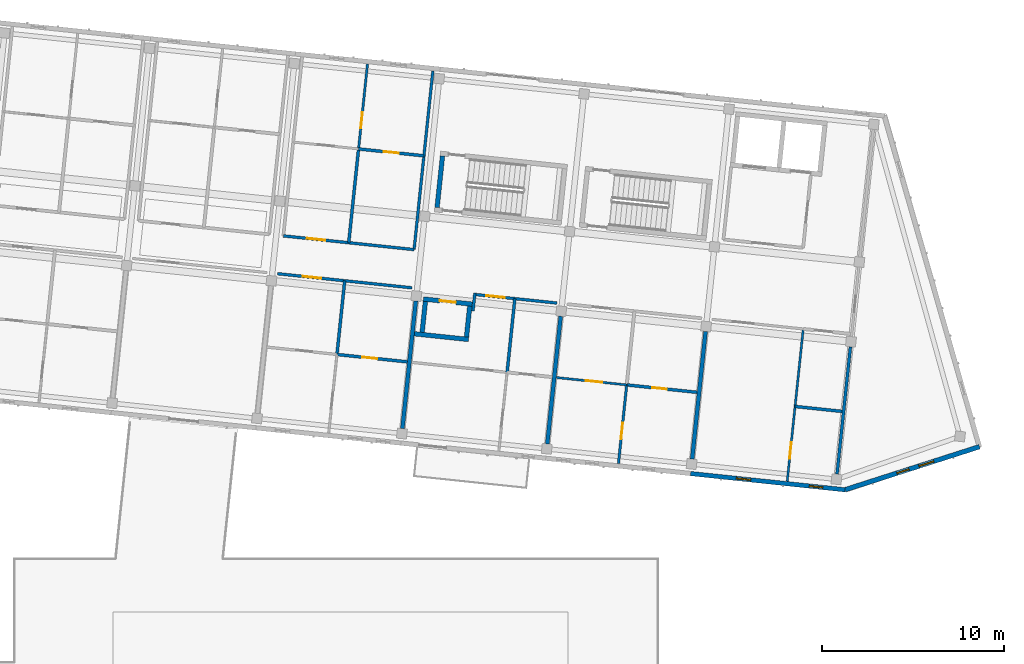
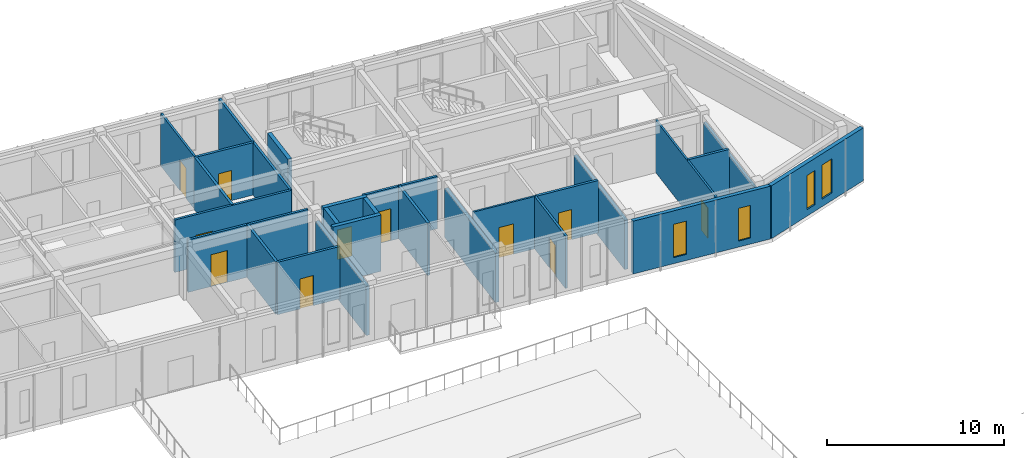
# One storey, part 103 of 150: 27 walls, 11 doors, 4 windows, 15 openings.
"""IFC4 building model written with IfcOpenShell, lengths in metres."""

from ifc_helpers import new_model, si_unit, direction, frame, frame_2d, origin, place, context, subcontext, project, spatial, rectangle, extrude, material, layer, layer_set, type_object, element, fill, save


model = new_model("IFC4")

# Units and contexts
model_context = context("Model", 3, precision=1e-05, world=origin(), true_north=direction((0.0, 1.0)))
body_context = subcontext(model_context, "Body", "Model", "MODEL_VIEW")
ifc_project = project(units=[si_unit("LENGTHUNIT", "METRE"), si_unit("AREAUNIT", "SQUARE_METRE"), si_unit("VOLUMEUNIT", "CUBIC_METRE"), si_unit("PLANEANGLEUNIT", "RADIAN"), si_unit("MASSUNIT", "GRAM", prefix="KILO")], contexts=[model_context])

# Site, building, storey
site_placement = place(None, origin())
site = spatial("IfcSite", under=ifc_project, at=site_placement, CompositionType="ELEMENT")
building_placement = place(site_placement, origin())
building = spatial("IfcBuilding", under=site, at=building_placement, Name="Kestramere Prow Commons", CompositionType="ELEMENT")
storey_placement = place(building_placement, frame((0.0, 0.0, 4.5)))
storey = spatial("IfcBuildingStorey", under=building, at=storey_placement, Name="L01", CompositionType="ELEMENT", Elevation=4.5)

# Wall, openings, windows
ifc_material_1 = material(Name="Weathered Zinc-Titanium Standing-Seam Cladding")
ifc_layer_1 = layer(ifc_material_1, 0.260009765625)
ifc_layer_set_1 = layer_set([ifc_layer_1], Name="Weathered Zinc-Titanium Standing-Seam Cladding")
wall_type_1 = type_object("IfcWallType", Name="EW-PROW-260", PredefinedType="SOLIDWALL", material=ifc_layer_set_1)
wall_1_placement = place(storey_placement, frame((165.587158203125, 91.57177734375, 0.0), z_axis=(0.0, 0.0, 1.0), x_axis=(-0.9522851043, -0.305209895201, 0.0)))
wall_1 = element("IfcWall", 1, at=wall_1_placement, inside=storey, type_object=wall_type_1, Name="Block B L01 PRW-S Facet Wall", PredefinedType="SOLIDWALL", context=body_context, shape_type="SweptSolid", body=[
    extrude(rectangle(XDim=7.752685546875, YDim=0.260009765625, at=frame_2d((3.87646484375, 0.0))), origin(), (0.0, 0.0, 1.0), 3.64990234375),
])
opening_1_placement = place(wall_1_placement, frame((2.6298828125, 0.0, 0.52001953125)))
opening_1 = element("IfcOpeningElement", 2, at=opening_1_placement, cuts=wall_1, Name="Opening WN-15", PredefinedType="OPENING", context=body_context, shape_type="SweptSolid", body=[
    extrude(rectangle(XDim=0.860107421875, YDim=2.360107421875, at=frame_2d((0.43017578125, 1.18017578125))), frame((0.0, 0.14501953125, 0.0), z_axis=(0.0, -1.0, 0.0), x_axis=(1.0, 0.0, 0.0)), (0.0, 0.0, 1.0), 0.2900390625),
])
opening_2_placement = place(wall_1_placement, frame((4.062744140625, 0.0, 0.449951171875)))
opening_2 = element("IfcOpeningElement", 3, at=opening_2_placement, cuts=wall_1, Name="Opening WN-07", PredefinedType="OPENING", context=body_context, shape_type="SweptSolid", body=[
    extrude(rectangle(XDim=0.699951171875, YDim=2.360107421875, at=frame_2d((0.35009765625, 1.18017578125))), frame((0.0, 0.14501953125, 0.0), z_axis=(0.0, -1.0, 0.0), x_axis=(1.0, 0.0, 0.0)), (0.0, 0.0, 1.0), 0.2900390625),
])
ifc_material_2 = material(Name="Low-E Laminated Double Glazing", Category="glass")
window_type_1 = type_object("IfcWindowType", Name="WN-NAR-700A", PartitioningType="SINGLE_PANEL", PredefinedType="WINDOW", material=ifc_material_2)
window_1_placement = place(opening_2_placement, origin())
window_1 = element("IfcWindow", 4, at=window_1_placement, inside=storey, type_object=window_type_1, Name="WN-B-L01-PRW-S-1", OverallHeight=2.360107421875, OverallWidth=0.699951171875, PartitioningType="SINGLE_PANEL", PredefinedType="WINDOW", context=body_context, shape_type="SweptSolid", body=[
    extrude(rectangle(XDim=0.699951171875, YDim=2.360107421875, at=frame_2d((0.35009765625, 1.18017578125))), frame((0.0, 0.030029296875, 0.0), z_axis=(0.0, -1.0, 0.0), x_axis=(1.0, 0.0, 0.0)), (0.0, 0.0, 1.0), 0.06005859375),
])
fill(opening_2, window_1)
window_type_2 = type_object("IfcWindowType", Name="WN-NAR-860A", PartitioningType="DOUBLE_PANEL_VERTICAL", PredefinedType="WINDOW", material=ifc_material_2)
window_2_placement = place(opening_1_placement, origin())
window_2 = element("IfcWindow", 5, at=window_2_placement, inside=storey, type_object=window_type_2, Name="WN-B-L01-PRW-S-0", OverallHeight=2.360107421875, OverallWidth=0.860107421875, PartitioningType="SINGLE_PANEL", PredefinedType="WINDOW", context=body_context, shape_type="SweptSolid", body=[
    extrude(rectangle(XDim=0.860107421875, YDim=2.360107421875, at=frame_2d((0.43017578125, 1.18017578125))), frame((0.0, 0.030029296875, 0.0), z_axis=(0.0, -1.0, 0.0), x_axis=(1.0, 0.0, 0.0)), (0.0, 0.0, 1.0), 0.06005859375),
])
fill(opening_1, window_2)

ifc_material_3 = material(Name="Fluoropolymer Standing-Seam Zinc-Aluminium Cladding", Category="aluminium")
ifc_layer_2 = layer(ifc_material_3, 0.239990234375)
ifc_layer_set_2 = layer_set([ifc_layer_2], Name="Fluoropolymer Standing-Seam Zinc-Aluminium Cladding")
wall_type_2 = type_object("IfcWallType", Name="EW-SEAM-240", PredefinedType="SOLIDWALL", material=ifc_layer_set_2)
wall_2_placement = place(storey_placement, frame((158.204345703125, 89.20556640625, 0.0), z_axis=(0.0, 0.0, 1.0), x_axis=(-0.994521760736, 0.104529744196, 0.0)))
wall_2 = element("IfcWall", 6, at=wall_2_placement, inside=storey, type_object=wall_type_2, Name="Block B L01 South Standing-Seam Wall 6", PredefinedType="SOLIDWALL", context=body_context, shape_type="SweptSolid", body=[
    extrude(rectangle(XDim=8.52490234375, YDim=0.239990234375, at=frame_2d((4.262451171875, 0.0))), origin(), (0.0, 0.0, 1.0), 3.64990234375),
])
opening_3_placement = place(wall_2_placement, frame((1.229736328125, 0.0, 0.419921875)))
opening_3 = element("IfcOpeningElement", 7, at=opening_3_placement, cuts=wall_2, Name="Opening WN-09", PredefinedType="OPENING", context=body_context, shape_type="SweptSolid", body=[
    extrude(rectangle(XDim=0.739990234375, YDim=2.260009765625, at=frame_2d((0.3701171875, 1.1298828125))), frame((0.0, 0.135009765625, 0.0), z_axis=(0.0, -1.0, 0.0), x_axis=(1.0, 0.0, 0.0)), (0.0, 0.0, 1.0), 0.27001953125),
])
opening_4_placement = place(wall_2_placement, frame((5.202880859375, 0.0, 0.419921875)))
opening_4 = element("IfcOpeningElement", 8, at=opening_4_placement, cuts=wall_2, Name="Opening WN-12", PredefinedType="OPENING", context=body_context, shape_type="SweptSolid", body=[
    extrude(rectangle(XDim=0.800048828125, YDim=2.300048828125, at=frame_2d((0.39990234375, 1.14990234375))), frame((0.0, 0.135009765625, 0.0), z_axis=(0.0, -1.0, 0.0), x_axis=(1.0, 0.0, 0.0)), (0.0, 0.0, 1.0), 0.27001953125),
])
window_type_3 = type_object("IfcWindowType", Name="WN-NAR-740A", PartitioningType="SINGLE_PANEL", PredefinedType="WINDOW", material=ifc_material_2)
window_3_placement = place(opening_3_placement, origin())
window_3 = element("IfcWindow", 9, at=window_3_placement, inside=storey, type_object=window_type_3, Name="WN-B-L01-S-5-00", OverallHeight=2.260009765625, OverallWidth=0.739990234375, PartitioningType="SINGLE_PANEL", PredefinedType="WINDOW", context=body_context, shape_type="SweptSolid", body=[
    extrude(rectangle(XDim=0.739990234375, YDim=2.260009765625, at=frame_2d((0.3701171875, 1.1298828125))), frame((0.0, 0.030029296875, 0.0), z_axis=(0.0, -1.0, 0.0), x_axis=(1.0, 0.0, 0.0)), (0.0, 0.0, 1.0), 0.06005859375),
])
fill(opening_3, window_3)
window_type_4 = type_object("IfcWindowType", Name="WN-NAR-800A", PartitioningType="SINGLE_PANEL", PredefinedType="WINDOW", material=ifc_material_2)
window_4_placement = place(opening_4_placement, origin())
window_4 = element("IfcWindow", 10, at=window_4_placement, inside=storey, type_object=window_type_4, Name="WN-B-L01-S-5-10", OverallHeight=2.300048828125, OverallWidth=0.800048828125, PartitioningType="SINGLE_PANEL", PredefinedType="WINDOW", context=body_context, shape_type="SweptSolid", body=[
    extrude(rectangle(XDim=0.800048828125, YDim=2.300048828125, at=frame_2d((0.39990234375, 1.14990234375))), frame((0.0, 0.030029296875, 0.0), z_axis=(0.0, -1.0, 0.0), x_axis=(1.0, 0.0, 0.0)), (0.0, 0.0, 1.0), 0.06005859375),
])
fill(opening_4, window_4)

# Wall
ifc_material_4 = material(Name="Concrete C40/50", Category="concrete")
ifc_layer_3 = layer(ifc_material_4, 0.25)
ifc_layer_set_3 = layer_set([ifc_layer_3], Name="Concrete C40/50")
wall_type_3 = type_object("IfcWallType", Name="W-CORE-250", PredefinedType="SHEAR", material=ifc_layer_set_3)
wall_3_placement = place(storey_placement, frame((135.802001953125, 104.707275390625, 0.0), z_axis=(0.0, 0.0, 1.0), x_axis=(0.104515324063, 0.994523276267, 0.0)))
element("IfcWall", 11, at=wall_3_placement, inside=storey, type_object=wall_type_3, Name="ST-B1 L01 Near Shaft Wall", PredefinedType="SHEAR", context=body_context, shape_type="SweptSolid", body=[
    extrude(rectangle(XDim=2.849853515625, YDim=0.25, at=frame_2d((1.4248046875, 0.0))), origin(), (0.0, 0.0, 1.0), 3.89990234375),
])

# Wall, opening, door
ifc_material_5 = material(Name="Fire-Rated Calcium Silicate Wall")
ifc_layer_4 = layer(ifc_material_5, 0.155029296875)
ifc_layer_set_4 = layer_set([ifc_layer_4], Name="Fire-Rated Calcium Silicate Wall")
wall_type_4 = type_object("IfcWallType", Name="W-FIRE-150", PredefinedType="PARTITIONING", material=ifc_layer_set_4)
wall_4_placement = place(storey_placement, frame((127.0341796875, 101.07373046875, 0.0), z_axis=(0.0, 0.0, 1.0), x_axis=(0.994522184982, -0.104525707739, 0.0)))
wall_4 = element("IfcWall", 12, at=wall_4_placement, inside=storey, type_object=wall_type_4, Name="Interior Partition PW-B-L01-CS-2", PredefinedType="PARTITIONING", context=body_context, shape_type="SweptSolid", body=[
    extrude(rectangle(XDim=7.429931640625, YDim=0.155029296875, at=frame_2d((3.71484375, 0.0))), origin(), (0.0, 0.0, 1.0), 3.6201171875),
])
opening_5_placement = place(wall_4_placement, frame((1.405029296875, 0.0, 0.0)))
opening_5 = element("IfcOpeningElement", 13, at=opening_5_placement, cuts=wall_4, Name="Opening ID-05", PredefinedType="OPENING", context=body_context, shape_type="SweptSolid", body=[
    extrude(rectangle(XDim=1.02001953125, YDim=2.199951171875, at=frame_2d((0.510009765625, 1.10009765625))), frame((0.0, 0.092529296875, 0.0), z_axis=(0.0, -1.0, 0.0), x_axis=(1.0, 0.0, 0.0)), (0.0, 0.0, 1.0), 0.18505859375),
])
ifc_material_6 = material(Name="Hardwood Fire-Rated Flat Entrance Door", Category="wood")
door_type_1 = type_object("IfcDoorType", Name="FD-ENT-02", OperationType="NOTDEFINED", PredefinedType="DOOR", material=ifc_material_6)
door_1_placement = place(opening_5_placement, origin())
door_1 = element("IfcDoor", 14, at=door_1_placement, inside=storey, type_object=door_type_1, Name="Interior Door DR-B-L01-ENT-S2", OperationType="SINGLE_SWING_RIGHT", OverallHeight=2.199951171875, OverallWidth=1.02001953125, PredefinedType="DOOR", context=body_context, shape_type="SweptSolid", body=[
    extrude(rectangle(XDim=1.02001953125, YDim=2.199951171875, at=frame_2d((0.510009765625, 1.10009765625))), frame((0.0, 0.02490234375, 0.0), z_axis=(0.0, -1.0, 0.0), x_axis=(1.0, 0.0, 0.0)), (0.0, 0.0, 1.0), 0.050048828125),
])
fill(opening_5, door_1)

# Wall
wall_5_placement = place(storey_placement, frame((137.773193359375, 99.02001953125, 0.0), z_axis=(0.0, 0.0, 1.0), x_axis=(0.104531505358, 0.994521575627, 0.0)))
element("IfcWall", 15, at=wall_5_placement, inside=storey, type_object=wall_type_4, Name="Interior Partition PW-B-L01-HS-CLOSER", PredefinedType="PARTITIONING", context=body_context, shape_type="SweptSolid", body=[
    extrude(rectangle(XDim=0.994873046875, YDim=0.155029296875, at=frame_2d((0.49755859375, 0.0))), origin(), (0.0, 0.0, 1.0), 3.6201171875),
])

# Wall, opening, door
wall_6_placement = place(storey_placement, frame((137.948974609375, 99.926513671875, 0.0), z_axis=(0.0, 0.0, 1.0), x_axis=(0.994524354209, -0.104505066315, 0.0)))
wall_6 = element("IfcWall", 16, at=wall_6_placement, inside=storey, type_object=wall_type_4, Name="Interior Partition PW-B-L01-CS-3", PredefinedType="PARTITIONING", context=body_context, shape_type="SweptSolid", body=[
    extrude(rectangle(XDim=4.455078125, YDim=0.155029296875, at=frame_2d((2.2275390625, 0.0))), origin(), (0.0, 0.0, 1.0), 3.6201171875),
])
opening_6_placement = place(wall_6_placement, frame((0.556884765625, 0.0, 0.0)))
opening_6 = element("IfcOpeningElement", 17, at=opening_6_placement, cuts=wall_6, Name="Opening ID-05", PredefinedType="OPENING", context=body_context, shape_type="SweptSolid", body=[
    extrude(rectangle(XDim=1.02001953125, YDim=2.199951171875, at=frame_2d((0.510009765625, 1.10009765625))), frame((0.0, 0.092529296875, 0.0), z_axis=(0.0, -1.0, 0.0), x_axis=(1.0, 0.0, 0.0)), (0.0, 0.0, 1.0), 0.18505859375),
])
door_2_placement = place(opening_6_placement, origin())
door_2 = element("IfcDoor", 18, at=door_2_placement, inside=storey, type_object=door_type_1, Name="Interior Door DR-B-L01-ENT-S3", OperationType="SINGLE_SWING_LEFT", OverallHeight=2.199951171875, OverallWidth=1.02001953125, PredefinedType="DOOR", context=body_context, shape_type="SweptSolid", body=[
    extrude(rectangle(XDim=1.02001953125, YDim=2.199951171875, at=frame_2d((0.510009765625, 1.10009765625))), frame((0.0, 0.02490234375, 0.0), z_axis=(0.0, -1.0, 0.0), x_axis=(1.0, 0.0, 0.0)), (0.0, 0.0, 1.0), 0.050048828125),
])
fill(opening_6, door_2)

wall_7_placement = place(storey_placement, frame((127.358154296875, 103.1513671875, 0.0), z_axis=(0.0, 0.0, 1.0), x_axis=(0.994522671024, -0.104521083137, 0.0)))
wall_7 = element("IfcWall", 19, at=wall_7_placement, inside=storey, type_object=wall_type_4, Name="Interior Partition PW-B-L01-CN-2", PredefinedType="PARTITIONING", context=body_context, shape_type="SweptSolid", body=[
    extrude(rectangle(XDim=7.219970703125, YDim=0.155029296875, at=frame_2d((3.60986328125, 0.0))), origin(), (0.0, 0.0, 1.0), 3.6201171875),
])
opening_7_placement = place(wall_7_placement, frame((1.304931640625, 0.0, 0.0)))
opening_7 = element("IfcOpeningElement", 20, at=opening_7_placement, cuts=wall_7, Name="Opening ID-05", PredefinedType="OPENING", context=body_context, shape_type="SweptSolid", body=[
    extrude(rectangle(XDim=1.02001953125, YDim=2.199951171875, at=frame_2d((0.510009765625, 1.10009765625))), frame((0.0, 0.092529296875, 0.0), z_axis=(0.0, -1.0, 0.0), x_axis=(1.0, 0.0, 0.0)), (0.0, 0.0, 1.0), 0.18505859375),
])
door_3_placement = place(opening_7_placement, origin())
door_3 = element("IfcDoor", 21, at=door_3_placement, inside=storey, type_object=door_type_1, Name="Interior Door DR-B-L01-ENT-N2", OperationType="SINGLE_SWING_RIGHT", OverallHeight=2.199951171875, OverallWidth=1.02001953125, PredefinedType="DOOR", context=body_context, shape_type="SweptSolid", body=[
    extrude(rectangle(XDim=1.02001953125, YDim=2.199951171875, at=frame_2d((0.510009765625, 1.10009765625))), frame((0.0, 0.02490234375, 0.0), z_axis=(0.0, -1.0, 0.0), x_axis=(1.0, 0.0, 0.0)), (0.0, 0.0, 1.0), 0.050048828125),
])
fill(opening_7, door_3)

# Wall
ifc_layer_5 = layer(ifc_material_4, 0.25)
ifc_layer_set_5 = layer_set([ifc_layer_5], Name="Concrete C40/50")
wall_type_5 = type_object("IfcWallType", Name="W-HS-250", PredefinedType="SHEAR", material=ifc_layer_set_5)
wall_8_placement = place(storey_placement, frame((134.555419921875, 97.774658203125, 0.0), z_axis=(0.0, 0.0, 1.0), x_axis=(0.994514844427, -0.104595526741, 0.0)))
element("IfcWall", 22, at=wall_8_placement, inside=storey, type_object=wall_type_5, Name="Block B L01 Household Shelter South Wall", PredefinedType="SHEAR", context=body_context, shape_type="SweptSolid", body=[
    extrude(rectangle(XDim=2.989990234375, YDim=0.25, at=frame_2d((1.4951171875, 0.0))), origin(), (0.0, 0.0, 1.0), 3.89990234375),
])

# Wall, opening, door
wall_9_placement = place(storey_placement, frame((135.047607421875, 99.68359375, 0.0), z_axis=(0.0, 0.0, 1.0), x_axis=(0.994522285292, -0.104524753323, 0.0)))
wall_9 = element("IfcWall", 23, at=wall_9_placement, inside=storey, type_object=wall_type_5, Name="Block B L01 Household Shelter North Wall", PredefinedType="SHEAR", context=body_context, shape_type="SweptSolid", body=[
    extrude(rectangle(XDim=2.7001953125, YDim=0.25, at=frame_2d((1.35009765625, 0.0))), origin(), (0.0, 0.0, 1.0), 3.89990234375),
])
opening_8_placement = place(wall_9_placement, frame((0.89990234375, 0.0, 0.0)))
opening_8 = element("IfcOpeningElement", 24, at=opening_8_placement, cuts=wall_9, Name="Opening ID-06", PredefinedType="OPENING", context=body_context, shape_type="SweptSolid", body=[
    extrude(rectangle(XDim=0.89990234375, YDim=2.050048828125, at=frame_2d((0.449951171875, 1.02490234375))), frame((0.0, 0.139892578125, 0.0), z_axis=(0.0, -1.0, 0.0), x_axis=(1.0, 0.0, 0.0)), (0.0, 0.0, 1.0), 0.280029296875),
])
ifc_material_7 = material(Name="Galvanised Steel S275JR Household Shelter Door", Category="steel")
door_type_2 = type_object("IfcDoorType", Name="FD-HS-01", OperationType="NOTDEFINED", PredefinedType="DOOR", material=ifc_material_7)
door_4_placement = place(opening_8_placement, origin())
door_4 = element("IfcDoor", 25, at=door_4_placement, inside=storey, type_object=door_type_2, Name="Block B L01 Household Shelter Blast Door", OperationType="SINGLE_SWING_LEFT", OverallHeight=2.050048828125, OverallWidth=0.89990234375, PredefinedType="DOOR", context=body_context, shape_type="SweptSolid", body=[
    extrude(rectangle(XDim=0.89990234375, YDim=2.050048828125, at=frame_2d((0.449951171875, 1.02490234375))), frame((0.0, 0.02490234375, 0.0), z_axis=(0.0, -1.0, 0.0), x_axis=(1.0, 0.0, 0.0)), (0.0, 0.0, 1.0), 0.050048828125),
])
fill(opening_8, door_4)

# Walls
for number, where, z_axis, x_axis, name in (
    (26, (134.981201171875, 97.85546875, 0.0), (0.0, 0.0, 1.0), (0.104550220202, 0.994519608382, 0.0), "Block B L01 Household Shelter W Wall"),
    (27, (137.417724609375, 97.599365234375, 0.0), (0.0, 0.0, 1.0), (0.104550220202, 0.994519608382, 0.0), "Block B L01 Household Shelter E Wall"),
):
    element("IfcWall", number, at=place(storey_placement, frame(where, z_axis=z_axis, x_axis=x_axis)), inside=storey, type_object=wall_type_5, Name=name, PredefinedType="SHEAR", context=body_context, shape_type="SweptSolid", body=[
        extrude(rectangle(XDim=1.699951171875, YDim=0.25, at=frame_2d((0.85009765625, 0.0))), origin(), (0.0, 0.0, 1.0), 3.89990234375),
    ])

# Wall, opening, door
ifc_material_8 = material(Name="Lightweight Blockwork and Plaster", Category="masonry")
ifc_layer_6 = layer(ifc_material_8, 0.1201171875)
ifc_layer_set_6 = layer_set([ifc_layer_6], Name="Lightweight Blockwork and Plaster")
wall_type_6 = type_object("IfcWallType", Name="W-PART-120", PredefinedType="PARTITIONING", material=ifc_layer_set_6)
wall_10_placement = place(storey_placement, frame((142.35205078125, 95.371337890625, 0.0), z_axis=(0.0, 0.0, 1.0), x_axis=(0.994523688713, -0.104511399326, 0.0)))
wall_10 = element("IfcWall", 28, at=wall_10_placement, inside=storey, type_object=wall_type_6, Name="Interior Partition PW-B-L01-MIDS1-4", PredefinedType="PARTITIONING", context=body_context, shape_type="SweptSolid", body=[
    extrude(rectangle(XDim=3.884765625, YDim=0.1201171875, at=frame_2d((1.9423828125, 0.0))), origin(), (0.0, 0.0, 1.0), 3.6201171875),
])
opening_9_placement = place(wall_10_placement, frame((1.625, 0.0, 0.0)))
opening_9 = element("IfcOpeningElement", 29, at=opening_9_placement, cuts=wall_10, Name="Opening ID-08", PredefinedType="OPENING", context=body_context, shape_type="SweptSolid", body=[
    extrude(rectangle(XDim=0.89990234375, YDim=2.10009765625, at=frame_2d((0.449951171875, 1.050048828125))), frame((0.0, 0.074951171875, 0.0), z_axis=(0.0, -1.0, 0.0), x_axis=(1.0, 0.0, 0.0)), (0.0, 0.0, 1.0), 0.150146484375),
])
ifc_material_9 = material(Name="Engineered Timber Flush Door", Category="wood")
door_type_3 = type_object("IfcDoorType", Name="D-RM-01", OperationType="NOTDEFINED", PredefinedType="DOOR", material=ifc_material_9)
door_5_placement = place(opening_9_placement, origin())
door_5 = element("IfcDoor", 30, at=door_5_placement, inside=storey, type_object=door_type_3, Name="Interior Door DR-B-L01-KL-S4", OperationType="SINGLE_SWING_RIGHT", OverallHeight=2.10009765625, OverallWidth=0.89990234375, PredefinedType="DOOR", context=body_context, shape_type="SweptSolid", body=[
    extrude(rectangle(XDim=0.89990234375, YDim=2.10009765625, at=frame_2d((0.449951171875, 1.050048828125))), frame((0.0, 0.02490234375, 0.0), z_axis=(0.0, -1.0, 0.0), x_axis=(1.0, 0.0, 0.0)), (0.0, 0.0, 1.0), 0.050048828125),
])
fill(opening_9, door_5)

wall_11_placement = place(storey_placement, frame((155.031005859375, 89.6748046875, 0.0), z_axis=(0.0, 0.0, 1.0), x_axis=(0.10453518206, 0.994521189172, 0.0)))
wall_11 = element("IfcWall", 31, at=wall_11_placement, inside=storey, type_object=wall_type_6, Name="Interior Partition PW-B-L01-SKDV-5", PredefinedType="PARTITIONING", context=body_context, shape_type="SweptSolid", body=[
    extrude(rectangle(XDim=8.41015625, YDim=0.1201171875, at=frame_2d((4.205078125, 0.0))), origin(), (0.0, 0.0, 1.0), 3.6201171875),
])
opening_10_placement = place(wall_11_placement, frame((1.25, 0.0, 0.0)))
opening_10 = element("IfcOpeningElement", 32, at=opening_10_placement, cuts=wall_11, Name="Opening ID-08", PredefinedType="OPENING", context=body_context, shape_type="SweptSolid", body=[
    extrude(rectangle(XDim=0.89990234375, YDim=2.10009765625, at=frame_2d((0.449951171875, 1.050048828125))), frame((0.0, 0.074951171875, 0.0), z_axis=(0.0, -1.0, 0.0), x_axis=(1.0, 0.0, 0.0)), (0.0, 0.0, 1.0), 0.150146484375),
])
door_6_placement = place(opening_10_placement, origin())
door_6 = element("IfcDoor", 33, at=door_6_placement, inside=storey, type_object=door_type_3, Name="Interior Door DR-B-L01-SKAL-5", OperationType="SINGLE_SWING_LEFT", OverallHeight=2.10009765625, OverallWidth=0.89990234375, PredefinedType="DOOR", context=body_context, shape_type="SweptSolid", body=[
    extrude(rectangle(XDim=0.89990234375, YDim=2.10009765625, at=frame_2d((0.449951171875, 1.050048828125))), frame((0.0, 0.02490234375, 0.0), z_axis=(0.0, -1.0, 0.0), x_axis=(1.0, 0.0, 0.0)), (0.0, 0.0, 1.0), 0.050048828125),
])
fill(opening_10, door_6)

ifc_layer_7 = layer(ifc_material_8, 0.1298828125)
ifc_layer_set_7 = layer_set([ifc_layer_7], Name="Lightweight Blockwork and Plaster")
wall_type_7 = type_object("IfcWallType", Name="W-PART-130", PredefinedType="PARTITIONING", material=ifc_layer_set_7)
wall_12_placement = place(storey_placement, frame((131.48974609375, 107.925537109375, 0.0), z_axis=(0.0, 0.0, 1.0), x_axis=(0.104527618124, 0.994521984196, 0.0)))
wall_12 = element("IfcWall", 34, at=wall_12_placement, inside=storey, type_object=wall_type_7, Name="Interior Partition PW-B-L01-LB-N2", PredefinedType="PARTITIONING", context=body_context, shape_type="SweptSolid", body=[
    extrude(rectangle(XDim=4.68994140625, YDim=0.1298828125, at=frame_2d((2.344970703125, 0.0))), origin(), (0.0, 0.0, 1.0), 3.6201171875),
])
opening_11_placement = place(wall_12_placement, frame((1.14990234375, 0.0, 0.0)))
opening_11 = element("IfcOpeningElement", 35, at=opening_11_placement, cuts=wall_12, Name="Opening ID-10", PredefinedType="OPENING", context=body_context, shape_type="SweptSolid", body=[
    extrude(rectangle(XDim=0.8798828125, YDim=2.10009765625, at=frame_2d((0.43994140625, 1.050048828125))), frame((0.0, 0.079833984375, 0.0), z_axis=(0.0, -1.0, 0.0), x_axis=(1.0, 0.0, 0.0)), (0.0, 0.0, 1.0), 0.159912109375),
])
ifc_material_10 = material(Name="Engineered Timber Bedroom Door", Category="wood")
door_type_4 = type_object("IfcDoorType", Name="D-RM-03", OperationType="NOTDEFINED", PredefinedType="DOOR", material=ifc_material_10)
door_7_placement = place(opening_11_placement, origin())
door_7 = element("IfcDoor", 36, at=door_7_placement, inside=storey, type_object=door_type_4, Name="Interior Door DR-B-L01-BED-N2", OperationType="SINGLE_SWING_LEFT", OverallHeight=2.10009765625, OverallWidth=0.8798828125, PredefinedType="DOOR", context=body_context, shape_type="SweptSolid", body=[
    extrude(rectangle(XDim=0.8798828125, YDim=2.10009765625, at=frame_2d((0.43994140625, 1.050048828125))), frame((0.0, 0.02490234375, 0.0), z_axis=(0.0, -1.0, 0.0), x_axis=(1.0, 0.0, 0.0)), (0.0, 0.0, 1.0), 0.050048828125),
])
fill(opening_11, door_7)

ifc_material_11 = material(Name="Masonry Compartment Wall", Category="masonry")
ifc_layer_8 = layer(ifc_material_11, 0.139892578125)
ifc_layer_set_8 = layer_set([ifc_layer_8], Name="Masonry Compartment Wall")
wall_type_8 = type_object("IfcWallType", Name="W-PART-140", PredefinedType="PARTITIONING", material=ifc_layer_set_8)
wall_13_placement = place(storey_placement, frame((145.761962890625, 90.649169921875, 0.0), z_axis=(0.0, 0.0, 1.0), x_axis=(0.104520797474, 0.994522701046, 0.0)))
wall_13 = element("IfcWall", 37, at=wall_13_placement, inside=storey, type_object=wall_type_8, Name="Interior Partition PW-B-L01-LB-S4", PredefinedType="PARTITIONING", context=body_context, shape_type="SweptSolid", body=[
    extrude(rectangle(XDim=4.33984375, YDim=0.139892578125, at=frame_2d((2.169921875, 0.0))), origin(), (0.0, 0.0, 1.0), 3.6201171875),
])
opening_12_placement = place(wall_13_placement, frame((1.35009765625, 0.0, 0.0)))
opening_12 = element("IfcOpeningElement", 38, at=opening_12_placement, cuts=wall_13, Name="Opening ID-08", PredefinedType="OPENING", context=body_context, shape_type="SweptSolid", body=[
    extrude(rectangle(XDim=0.89990234375, YDim=2.10009765625, at=frame_2d((0.449951171875, 1.050048828125))), frame((0.0, 0.0849609375, 0.0), z_axis=(0.0, -1.0, 0.0), x_axis=(1.0, 0.0, 0.0)), (0.0, 0.0, 1.0), 0.169921875),
])
door_8_placement = place(opening_12_placement, origin())
door_8 = element("IfcDoor", 39, at=door_8_placement, inside=storey, type_object=door_type_3, Name="Interior Door DR-B-L01-BED-S4", OperationType="SINGLE_SWING_LEFT", OverallHeight=2.10009765625, OverallWidth=0.89990234375, PredefinedType="DOOR", context=body_context, shape_type="SweptSolid", body=[
    extrude(rectangle(XDim=0.89990234375, YDim=2.10009765625, at=frame_2d((0.449951171875, 1.050048828125))), frame((0.0, 0.02490234375, 0.0), z_axis=(0.0, -1.0, 0.0), x_axis=(1.0, 0.0, 0.0)), (0.0, 0.0, 1.0), 0.050048828125),
])
fill(opening_12, door_8)

# Walls
ifc_layer_9 = layer(ifc_material_11, 0.14990234375)
ifc_layer_set_9 = layer_set([ifc_layer_9], Name="Masonry Compartment Wall")
wall_type_9 = type_object("IfcWallType", Name="W-PART-150", PredefinedType="PARTITIONING", material=ifc_layer_set_9)
wall_14_placement = place(storey_placement, frame((134.53857421875, 102.396728515625, 0.0), z_axis=(0.0, 0.0, 1.0), x_axis=(0.104508379977, 0.994524006002, 0.0)))
element("IfcWall", 40, at=wall_14_placement, inside=storey, type_object=wall_type_9, Name="Interior Partition PW-B-L01-NWR-2", PredefinedType="PARTITIONING", context=body_context, shape_type="SweptSolid", body=[
    extrude(rectangle(XDim=9.869873046875, YDim=0.14990234375, at=frame_2d((4.93505859375, 0.0))), origin(), (0.0, 0.0, 1.0), 3.6201171875),
])
ifc_material_12 = material(Name="Waterproof Sanitary Masonry Wall", Category="masonry")
ifc_layer_10 = layer(ifc_material_12, 0.1650390625)
ifc_layer_set_10 = layer_set([ifc_layer_10], Name="Waterproof Sanitary Masonry Wall")
wall_type_10 = type_object("IfcWallType", Name="W-PLUMB-150", PredefinedType="PLUMBINGWALL", material=ifc_layer_set_10)
wall_15_placement = place(storey_placement, frame((157.766845703125, 90.066162109375, 0.0), z_axis=(0.0, 0.0, 1.0), x_axis=(0.104532929154, 0.994521425975, 0.0)))
element("IfcWall", 41, at=wall_15_placement, inside=storey, type_object=wall_type_10, Name="Interior Partition PW-B-L01-PRWE-S", PredefinedType="PLUMBINGWALL", context=body_context, shape_type="SweptSolid", body=[
    extrude(rectangle(XDim=7.030029296875, YDim=0.1650390625, at=frame_2d((3.51513671875, 0.0))), origin(), (0.0, 0.0, 1.0), 3.14990234375),
])

# Wall, opening, door
wall_16_placement = place(storey_placement, frame((130.30322265625, 96.6376953125, 0.0), z_axis=(0.0, 0.0, 1.0), x_axis=(0.994524375082, -0.104504867671, 0.0)))
wall_16 = element("IfcWall", 42, at=wall_16_placement, inside=storey, type_object=wall_type_10, Name="Interior Partition PW-B-L01-MIDS2-2", PredefinedType="PLUMBINGWALL", context=body_context, shape_type="SweptSolid", body=[
    extrude(rectangle(XDim=3.885009765625, YDim=0.1650390625, at=frame_2d((1.9423828125, 0.0))), origin(), (0.0, 0.0, 1.0), 3.6201171875),
])
opening_13_placement = place(wall_16_placement, frame((1.39990234375, 0.0, 0.0)))
opening_13 = element("IfcOpeningElement", 43, at=opening_13_placement, cuts=wall_16, Name="Opening ID-11", PredefinedType="OPENING", context=body_context, shape_type="SweptSolid", body=[
    extrude(rectangle(XDim=0.820068359375, YDim=2.080078125, at=frame_2d((0.41015625, 1.0400390625))), frame((0.0, 0.097412109375, 0.0), z_axis=(0.0, -1.0, 0.0), x_axis=(1.0, 0.0, 0.0)), (0.0, 0.0, 1.0), 0.195068359375),
])
ifc_material_13 = material(Name="Moisture-Resistant Timber Bathroom Door", Category="wood")
door_type_5 = type_object("IfcDoorType", Name="D-BT-01", OperationType="NOTDEFINED", PredefinedType="DOOR", material=ifc_material_13)
door_9_placement = place(opening_13_placement, origin())
door_9 = element("IfcDoor", 44, at=door_9_placement, inside=storey, type_object=door_type_5, Name="Interior Door DR-B-L01-BTH-S2", OperationType="SINGLE_SWING_LEFT", OverallHeight=2.080078125, OverallWidth=0.820068359375, PredefinedType="DOOR", context=body_context, shape_type="SweptSolid", body=[
    extrude(rectangle(XDim=0.820068359375, YDim=2.080078125, at=frame_2d((0.41015625, 1.0400390625))), frame((0.0, 0.02490234375, 0.0), z_axis=(0.0, -1.0, 0.0), x_axis=(1.0, 0.0, 0.0)), (0.0, 0.0, 1.0), 0.050048828125),
])
fill(opening_13, door_9)

# Walls
wall_17_placement = place(storey_placement, frame((130.30322265625, 96.6376953125, 0.0), z_axis=(0.0, 0.0, 1.0), x_axis=(0.104550520052, 0.99451957686, 0.0)))
element("IfcWall", 45, at=wall_17_placement, inside=storey, type_object=wall_type_10, Name="Interior Partition PW-B-L01-KB-S2", PredefinedType="PLUMBINGWALL", context=body_context, shape_type="SweptSolid", body=[
    extrude(rectangle(XDim=4.070068359375, YDim=0.1650390625, at=frame_2d((2.03515625, 0.0))), origin(), (0.0, 0.0, 1.0), 3.6201171875),
])
wall_18_placement = place(storey_placement, frame((139.64697265625, 95.65576171875, 0.0), z_axis=(0.0, 0.0, 1.0), x_axis=(0.104497425874, 0.99452515704, 0.0)))
element("IfcWall", 46, at=wall_18_placement, inside=storey, type_object=wall_type_10, Name="Interior Partition PW-B-L01-KB-S3", PredefinedType="PLUMBINGWALL", context=body_context, shape_type="SweptSolid", body=[
    extrude(rectangle(XDim=4.06982421875, YDim=0.1650390625, at=frame_2d((2.034912109375, 0.0))), origin(), (0.0, 0.0, 1.0), 3.6201171875),
])

# Wall, opening, door
wall_19_placement = place(storey_placement, frame((146.215576171875, 94.96533203125, 0.0), z_axis=(0.0, 0.0, 1.0), x_axis=(0.994524375082, -0.104504867671, 0.0)))
wall_19 = element("IfcWall", 47, at=wall_19_placement, inside=storey, type_object=wall_type_10, Name="Interior Partition PW-B-L01-MIDS2-4", PredefinedType="PLUMBINGWALL", context=body_context, shape_type="SweptSolid", body=[
    extrude(rectangle(XDim=3.885009765625, YDim=0.1650390625, at=frame_2d((1.9423828125, 0.0))), origin(), (0.0, 0.0, 1.0), 3.6201171875),
])
opening_14_placement = place(wall_19_placement, frame((1.39990234375, 0.0, 0.0)))
opening_14 = element("IfcOpeningElement", 48, at=opening_14_placement, cuts=wall_19, Name="Opening ID-11", PredefinedType="OPENING", context=body_context, shape_type="SweptSolid", body=[
    extrude(rectangle(XDim=0.820068359375, YDim=2.080078125, at=frame_2d((0.41015625, 1.0400390625))), frame((0.0, 0.097412109375, 0.0), z_axis=(0.0, -1.0, 0.0), x_axis=(1.0, 0.0, 0.0)), (0.0, 0.0, 1.0), 0.195068359375),
])
door_10_placement = place(opening_14_placement, origin())
door_10 = element("IfcDoor", 49, at=door_10_placement, inside=storey, type_object=door_type_5, Name="Interior Door DR-B-L01-BTH-S4", OperationType="SINGLE_SWING_LEFT", OverallHeight=2.080078125, OverallWidth=0.820068359375, PredefinedType="DOOR", context=body_context, shape_type="SweptSolid", body=[
    extrude(rectangle(XDim=0.820068359375, YDim=2.080078125, at=frame_2d((0.41015625, 1.0400390625))), frame((0.0, 0.02490234375, 0.0), z_axis=(0.0, -1.0, 0.0), x_axis=(1.0, 0.0, 0.0)), (0.0, 0.0, 1.0), 0.050048828125),
])
fill(opening_14, door_10)

# Wall
wall_20_placement = place(storey_placement, frame((155.462646484375, 93.7822265625, 0.0), z_axis=(0.0, 0.0, 1.0), x_axis=(0.994521452323, -0.104532678478, 0.0)))
element("IfcWall", 50, at=wall_20_placement, inside=storey, type_object=wall_type_10, Name="Interior Partition PW-B-L01-SKHZ-5", PredefinedType="PLUMBINGWALL", context=body_context, shape_type="SweptSolid", body=[
    extrude(rectangle(XDim=2.590087890625, YDim=0.1650390625, at=frame_2d((1.294921875, 0.0))), origin(), (0.0, 0.0, 1.0), 3.6201171875),
])

# Wall, opening, door
wall_21_placement = place(storey_placement, frame((131.48974609375, 107.925537109375, 0.0), z_axis=(0.0, 0.0, 1.0), x_axis=(0.994525816262, -0.104491151726, 0.0)))
wall_21 = element("IfcWall", 51, at=wall_21_placement, inside=storey, type_object=wall_type_10, Name="Interior Partition PW-B-L01-MIDN2-2", PredefinedType="PLUMBINGWALL", context=body_context, shape_type="SweptSolid", body=[
    extrude(rectangle(XDim=3.60986328125, YDim=0.1650390625, at=frame_2d((1.804931640625, 0.0))), origin(), (0.0, 0.0, 1.0), 3.6201171875),
])
opening_15_placement = place(wall_21_placement, frame((1.39501953125, 0.0, 0.0)))
opening_15 = element("IfcOpeningElement", 52, at=opening_15_placement, cuts=wall_21, Name="Opening ID-11", PredefinedType="OPENING", context=body_context, shape_type="SweptSolid", body=[
    extrude(rectangle(XDim=0.820068359375, YDim=2.080078125, at=frame_2d((0.41015625, 1.0400390625))), frame((0.0, 0.097412109375, 0.0), z_axis=(0.0, -1.0, 0.0), x_axis=(1.0, 0.0, 0.0)), (0.0, 0.0, 1.0), 0.195068359375),
])
door_11_placement = place(opening_15_placement, origin())
door_11 = element("IfcDoor", 53, at=door_11_placement, inside=storey, type_object=door_type_5, Name="Interior Door DR-B-L01-BTH-N2", OperationType="SINGLE_SWING_RIGHT", OverallHeight=2.080078125, OverallWidth=0.820068359375, PredefinedType="DOOR", context=body_context, shape_type="SweptSolid", body=[
    extrude(rectangle(XDim=0.820068359375, YDim=2.080078125, at=frame_2d((0.41015625, 1.0400390625))), frame((0.0, 0.02490234375, 0.0), z_axis=(0.0, -1.0, 0.0), x_axis=(1.0, 0.0, 0.0)), (0.0, 0.0, 1.0), 0.050048828125),
])
fill(opening_15, door_11)

# Walls
wall_22_placement = place(storey_placement, frame((130.9482421875, 102.77392578125, 0.0), z_axis=(0.0, 0.0, 1.0), x_axis=(0.104537578263, 0.994520937301, 0.0)))
element("IfcWall", 54, at=wall_22_placement, inside=storey, type_object=wall_type_10, Name="Interior Partition PW-B-L01-KB-N2", PredefinedType="PLUMBINGWALL", context=body_context, shape_type="SweptSolid", body=[
    extrude(rectangle(XDim=5.179931640625, YDim=0.1650390625, at=frame_2d((2.58984375, 0.0))), origin(), (0.0, 0.0, 1.0), 3.6201171875),
])
ifc_material_14 = material(Name="Precast concrete C40/50", Category="concrete")
ifc_layer_11 = layer(ifc_material_14, 0.219970703125)
ifc_layer_set_11 = layer_set([ifc_layer_11], Name="Precast concrete C40/50")
wall_type_11 = type_object("IfcWallType", Name="W-XWALL-220", PredefinedType="SHEAR", material=ifc_layer_set_11)
for number, where, z_axis, x_axis, name in (
    (55, (133.897216796875, 92.564697265625, -0.25), (0.0, 0.0, 1.0), (0.104545981508, 0.994520053971, 0.0), "Block B L01 Precast Cross-Wall 3"),
    (56, (141.853515625, 91.728515625, -0.25), (0.0, 0.0, 1.0), (0.104511730475, 0.994523653913, 0.0), "Block B L01 Precast Cross-Wall 4"),
    (57, (149.8095703125, 90.892333984375, -0.25), (0.0, 0.0, 1.0), (0.104545981508, 0.994520053971, 0.0), "Block B L01 Precast Cross-Wall 5"),
):
    element("IfcWall", number, at=place(storey_placement, frame(where, z_axis=z_axis, x_axis=x_axis)), inside=storey, type_object=wall_type_11, Name=name, PredefinedType="SHEAR", context=body_context, shape_type="SweptSolid", body=[
        extrude(rectangle(XDim=7.050048828125, YDim=0.219970703125, at=frame_2d((3.52490234375, 0.0))), origin(), (0.0, 0.0, 1.0), 3.39990234375),
    ])

save(model, "model.ifc")
